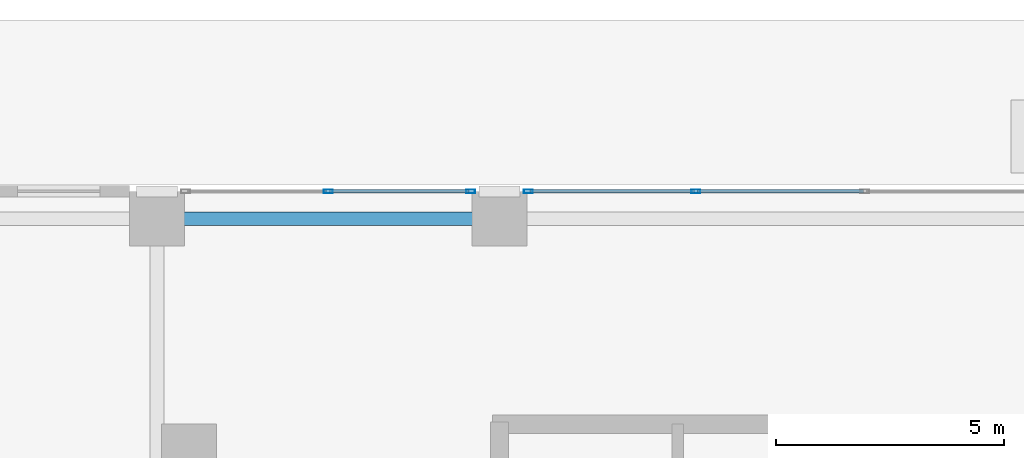
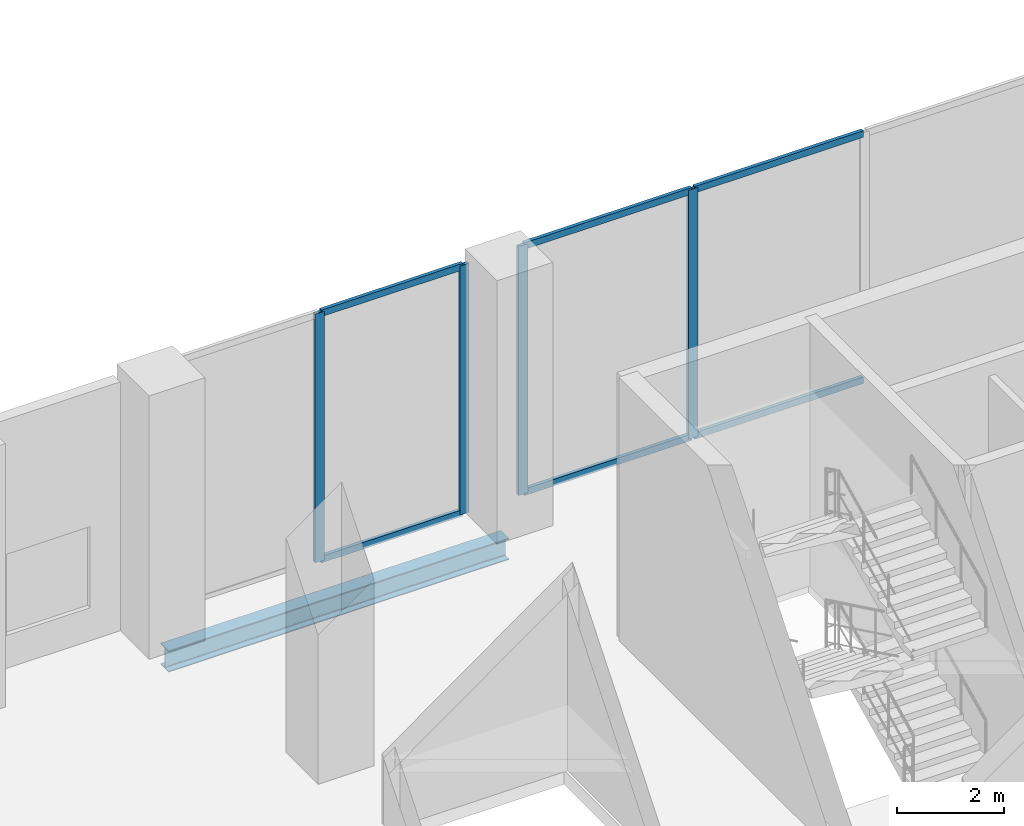
# One storey, part 9 of 26: 10 members, 1 beam, 2 elements without a shape of their own.
"""IFC4 building model written with IfcOpenShell, lengths in metres."""

import ifcopenshell
import ifcopenshell.guid

model = None  # the IFC model being written
_history = None  # IfcOwnerHistory: only IFC2X3 demands one
_inside = {}  # id of a spatial element -> (the spatial element, [elements in it])
_under = {}  # id of a project, library or spatial element -> (it, [spatial elements below it])
_declared = {}  # id of a project -> (the project, [libraries it declares])
_typed = {}  # id of a type object -> (the type object, [elements of that type])
_made_of = {}  # id of a material, layer set ... -> (it, [elements and type objects made of it])


def new_model(schema):
    """Start an empty IFC model of exactly this schema.

    Asked for "IFC4X3", IfcOpenShell would pick the latest addendum, in which some entities
    have other attributes; the version numbers below select the first issue.
    IFC2X3 requires an IfcOwnerHistory on every rooted entity: one is made here for all.
    """
    global model, _history
    if schema == "IFC4X3":
        model = ifcopenshell.file(schema_version=(4, 3, 0, 0))
    else:
        model = ifcopenshell.file(schema=schema)
    _inside.clear()
    _under.clear()
    _declared.clear()
    _typed.clear()
    _made_of.clear()
    _history = None
    if model.schema == "IFC2X3":
        org = make("IfcOrganization", Name="unknown")
        user = make(
            "IfcPersonAndOrganization",
            ThePerson=make("IfcPerson", FamilyName="unknown"),
            TheOrganization=org,
        )
        app = make(
            "IfcApplication",
            ApplicationDeveloper=org,
            Version="unknown",
            ApplicationFullName="unknown",
            ApplicationIdentifier="unknown",
        )
        _history = make(
            "IfcOwnerHistory",
            OwningUser=user,
            OwningApplication=app,
            ChangeAction="ADDED",
            CreationDate=0,
        )
    return model


def make(cls, **values):
    """One entity of the class cls with the attributes given. An attribute that is None is left unset."""
    return model.create_entity(
        cls, **{name: value for name, value in values.items() if value is not None}
    )


def rooted(cls, **values):
    """An entity with a GlobalId (a new one), such as an element, a storey or a relation."""
    return make(cls, GlobalId=ifcopenshell.guid.new(), OwnerHistory=_history, **values)


def si_unit(unit_type, name, prefix=None):
    """IfcSIUnit, for example si_unit("LENGTHUNIT", "METRE", prefix="MILLI")."""
    return make("IfcSIUnit", UnitType=unit_type, Prefix=prefix, Name=name)


def assignment(units):
    """IfcUnitAssignment: the units of a project."""
    return None if units is None else make("IfcUnitAssignment", Units=units)


def point(xyz):
    """IfcCartesianPoint."""
    return None if xyz is None else make("IfcCartesianPoint", Coordinates=xyz)


def direction(xyz):
    """IfcDirection."""
    return None if xyz is None else make("IfcDirection", DirectionRatios=xyz)


def frame(location, z_axis=None, x_axis=None):
    """IfcAxis2Placement3D, a coordinate frame: its origin and axes. An axis left out is left unset."""
    return make(
        "IfcAxis2Placement3D",
        Location=point(location),
        Axis=direction(z_axis),
        RefDirection=direction(x_axis),
    )


def frame_2d(location, x_axis=None):
    """IfcAxis2Placement2D, a coordinate frame in the plane: its origin and x axis."""
    return make(
        "IfcAxis2Placement2D", Location=point(location), RefDirection=direction(x_axis)
    )


def origin():
    """The frame at (0, 0, 0) with its axes left unset."""
    return frame((0.0, 0.0, 0.0))


def origin_2d():
    """The frame at (0, 0) in the plane with its x axis left unset."""
    return frame_2d((0.0, 0.0))


def place(relative_to, where):
    """IfcLocalPlacement: puts the frame where relative to a parent placement (None: the world)."""
    return make(
        "IfcLocalPlacement", PlacementRelTo=relative_to, RelativePlacement=where
    )


def context(
    kind, dimensions, precision=None, world=None, true_north=None, identifier=None
):
    """IfcGeometricRepresentationContext, for example the 3D "Model" context."""
    return make(
        "IfcGeometricRepresentationContext",
        ContextIdentifier=identifier,
        ContextType=kind,
        CoordinateSpaceDimension=dimensions,
        Precision=precision,
        WorldCoordinateSystem=world,
        TrueNorth=true_north,
    )


def subcontext(parent, identifier, kind, view, scale=None):
    """IfcGeometricRepresentationSubContext, for example "Body" below "Model"."""
    return make(
        "IfcGeometricRepresentationSubContext",
        ContextIdentifier=identifier,
        ContextType=kind,
        ParentContext=parent,
        TargetScale=scale,
        TargetView=view,
    )


def project(units=None, contexts=None):
    """IfcProject with its units and contexts."""
    return rooted(
        "IfcProject",
        Name="project",
        RepresentationContexts=contexts,
        UnitsInContext=assignment(units),
    )


def spatial(cls, under=None, at=None, **own):
    """A site, building, storey or space (cls), placed at a placement, below another one or the project."""
    s = rooted(cls, ObjectPlacement=at, **own)
    if under is not None:
        _under.setdefault(under.id(), (under, []))[1].append(s)
    return s


def profile(cls, at=None, kind="AREA", **sizes):
    """A parametric profile (cls). Its sizes go by their IFC names, for example OverallWidth=200.0."""
    return make(cls, ProfileType=kind, Position=at, **sizes)


def hollow_rectangle(**sizes):
    """IfcRectangleHollowProfileDef."""
    return profile("IfcRectangleHollowProfileDef", **sizes)


def i_section(**sizes):
    """IfcIShapeProfileDef."""
    return profile("IfcIShapeProfileDef", **sizes)


def extrude(swept, where, along, depth):
    """IfcExtrudedAreaSolid: the profile swept, set in the frame where, extruded along a direction by depth."""
    return make(
        "IfcExtrudedAreaSolid",
        SweptArea=swept,
        Position=where,
        ExtrudedDirection=direction(along),
        Depth=depth,
    )


def shape(context_of_items, identifier, shape_type, items):
    """IfcShapeRepresentation: the items that make up one representation, for example the "Body"."""
    return make(
        "IfcShapeRepresentation",
        ContextOfItems=context_of_items,
        RepresentationIdentifier=identifier,
        RepresentationType=shape_type,
        Items=items,
    )


def material(Name=None, Category=None):
    """IfcMaterial."""
    return make("IfcMaterial", Name=Name, Category=Category)


def layer(
    of_material, thickness, ventilated=None, Name=None, Category=None, Priority=None
):
    """IfcMaterialLayer: one layer of a wall or slab, of a material (None: an air gap)."""
    return make(
        "IfcMaterialLayer",
        Material=of_material,
        LayerThickness=thickness,
        IsVentilated=ventilated,
        Name=Name,
        Category=Category,
        Priority=Priority,
    )


def layer_set(layers, Name=None):
    """IfcMaterialLayerSet."""
    return make("IfcMaterialLayerSet", MaterialLayers=layers, LayerSetName=Name)


def material_profile(
    of_material, cross_section, Name=None, Category=None, Priority=None
):
    """IfcMaterialProfile: a cross section and its material."""
    return make(
        "IfcMaterialProfile",
        Name=Name,
        Material=of_material,
        Profile=cross_section,
        Priority=Priority,
        Category=Category,
    )


def profile_set(profiles, Name=None, composite=None):
    """IfcMaterialProfileSet."""
    return make(
        "IfcMaterialProfileSet",
        Name=Name,
        MaterialProfiles=profiles,
        CompositeProfile=composite,
    )


def made_of(thing, what):
    """Note that an element or type object is made of a material, layer set ...; save() writes the relation."""
    if what is not None:
        _made_of.setdefault(what.id(), (what, []))[1].append(thing)
    return thing


def type_object(cls, material=None, **own):
    """A type object (cls), such as IfcWallType, which elements share."""
    return made_of(rooted(cls, **own), material)


def element(
    cls,
    number,
    at=None,
    inside=None,
    cuts=None,
    type_object=None,
    material=None,
    context=None,
    identifier="Body",
    shape_type=None,
    held_by="IfcProductDefinitionShape",
    body=None,
    shapes=None,
    **own,
):
    """One element of the class cls, such as IfcWall. Its Tag is "e" and its number.

    at: its placement. inside: the storey or other place that contains it. cuts: it is an
    opening in that element (IfcRelVoidsElement). A single representation is given by context,
    identifier, shape_type and body (its items); several are given by shapes. held_by: the class
    of the entity that holds the representations. save() writes the other relations.
    """
    e = rooted(cls, Tag="e%d" % number, ObjectPlacement=at, **own)
    if body is not None:
        shapes = [shape(context, identifier, shape_type, body)]
    if shapes is not None:
        e.Representation = make(held_by, Representations=shapes)
    if inside is not None:
        _inside.setdefault(inside.id(), (inside, []))[1].append(e)
    if cuts is not None:
        rooted(
            "IfcRelVoidsElement", RelatingBuildingElement=cuts, RelatedOpeningElement=e
        )
    if type_object is not None:
        _typed.setdefault(type_object.id(), (type_object, []))[1].append(e)
    return made_of(e, material)


def aggregate(whole, parts):
    """IfcRelAggregates: a whole, such as a stair, and the parts it consists of."""
    return rooted("IfcRelAggregates", RelatingObject=whole, RelatedObjects=parts)


def save(model, path):
    """Write the relations noted so far, then the file.

    IfcRelAggregates (storeys below a building ...), IfcRelContainedInSpatialStructure (elements
    in a storey), IfcRelDefinesByType, IfcRelAssociatesMaterial and IfcRelDeclares: one each for
    every whole, place, type object, material and project.
    """
    for whole, parts in _under.values():
        aggregate(whole, parts)
    for where, things in _inside.values():
        rooted(
            "IfcRelContainedInSpatialStructure",
            RelatedElements=things,
            RelatingStructure=where,
        )
    for kind, things in _typed.values():
        rooted("IfcRelDefinesByType", RelatedObjects=things, RelatingType=kind)
    for what, things in _made_of.values():
        rooted("IfcRelAssociatesMaterial", RelatedObjects=things, RelatingMaterial=what)
    for by, libraries in _declared.values():
        rooted("IfcRelDeclares", RelatingContext=by, RelatedDefinitions=libraries)
    model.write(path)


model = new_model("IFC4")

# Units and contexts
model_context = context("Model", 3, precision=1e-05, world=origin(), true_north=direction((0.0, 1.0)))
body_context = subcontext(model_context, "Body", "Model", "MODEL_VIEW")
ifc_project = project(units=[si_unit("LENGTHUNIT", "METRE"), si_unit("AREAUNIT", "SQUARE_METRE"), si_unit("VOLUMEUNIT", "CUBIC_METRE"), si_unit("PLANEANGLEUNIT", "RADIAN"), si_unit("MASSUNIT", "GRAM", prefix="KILO")], contexts=[model_context])

# Site, building, storey
site_placement = place(None, origin())
site = spatial("IfcSite", under=ifc_project, at=site_placement, CompositionType="ELEMENT")
building_placement = place(site_placement, origin())
building = spatial("IfcBuilding", under=site, at=building_placement, Name="Catumbela Crestline Tower", CompositionType="ELEMENT")
storey_placement = place(building_placement, origin())
storey = spatial("IfcBuildingStorey", under=building, at=storey_placement, Name="L00", CompositionType="ELEMENT", Elevation=0.0)

# Curtain wall, members
ifc_material_1 = material(Name="Aluminium alloy AW-6060-T66", Category="aluminium")
ifc_layer = layer(ifc_material_1, 0.18, Name="Aluminium alloy AW-6060-T66")
ifc_layer_set = layer_set([ifc_layer], Name="Aluminium alloy AW-6060-T66")
curtain_wall_type = type_object("IfcCurtainWallType", Name="CWS-POD", PredefinedType="USERDEFINED", material=ifc_layer_set)
curtain_wall_1_placement = place(storey_placement, origin())
curtain_wall_1 = element("IfcCurtainWall", 1, at=curtain_wall_1_placement, inside=storey, type_object=curtain_wall_type, Name="L00 Stick Curtain Wall CW-L00-E7S4", ObjectType="STICK", PredefinedType="USERDEFINED")
ifc_material_profile_1 = material_profile(ifc_material_1, hollow_rectangle(XDim=0.075, YDim=0.2, WallThickness=0.005, at=origin_2d()), Name="ALU 200x75x5")
ifc_profile_set_1 = profile_set([ifc_material_profile_1], Name="Aluminium alloy AW-6060-T66")
member_type_1 = type_object("IfcMemberType", Name="MUL-200X75", PredefinedType="MULLION", material=ifc_profile_set_1)
member_1_placement = place(storey_placement, frame((20.3, 48.0, 0.0), z_axis=(0.0, 0.0, 1.0), x_axis=(0.0, -1.0, 0.0)))
member_1 = element("IfcMember", 2, at=member_1_placement, type_object=member_type_1, Name="CWS-POD mullion 4", PredefinedType="MULLION", context=body_context, shape_type="SweptSolid", body=[
    extrude(hollow_rectangle(XDim=0.075, YDim=0.2, WallThickness=0.005, at=origin_2d()), origin(), (0.0, 0.0, 1.0), 5.67),
])
member_2_placement = place(storey_placement, frame((16.6325, 48.0, 0.0), z_axis=(0.0, 0.0, 1.0), x_axis=(0.0, -1.0, 0.0)))
member_2 = element("IfcMember", 3, at=member_2_placement, type_object=member_type_1, Name="CWS-POD mullion 5", PredefinedType="MULLION", context=body_context, shape_type="SweptSolid", body=[
    extrude(hollow_rectangle(XDim=0.075, YDim=0.2, WallThickness=0.005, at=origin_2d()), origin(), (0.0, 0.0, 1.0), 5.67),
])

curtain_wall_2_placement = place(storey_placement, origin())
curtain_wall_2 = element("IfcCurtainWall", 4, at=curtain_wall_2_placement, inside=storey, type_object=curtain_wall_type, Name="L00 Stick Curtain Wall CW-L00-E7S5", ObjectType="STICK", PredefinedType="USERDEFINED")
member_3_placement = place(storey_placement, frame((15.3675, 48.0, 0.0), z_axis=(0.0, 0.0, 1.0), x_axis=(0.0, -1.0, 0.0)))
member_3 = element("IfcMember", 5, at=member_3_placement, type_object=member_type_1, Name="CWS-POD mullion 1", PredefinedType="MULLION", context=body_context, shape_type="SweptSolid", body=[
    extrude(hollow_rectangle(XDim=0.075, YDim=0.2, WallThickness=0.005, at=origin_2d()), origin(), (0.0, 0.0, 1.0), 5.67),
])
member_4_placement = place(storey_placement, frame((12.25, 48.0, 0.0), z_axis=(0.0, 0.0, 1.0), x_axis=(0.0, -1.0, 0.0)))
member_4 = element("IfcMember", 6, at=member_4_placement, type_object=member_type_1, Name="CWS-POD mullion 2", PredefinedType="MULLION", context=body_context, shape_type="SweptSolid", body=[
    extrude(hollow_rectangle(XDim=0.075, YDim=0.2, WallThickness=0.005, at=origin_2d()), origin(), (0.0, 0.0, 1.0), 5.67),
])

# Beam
ifc_material_2 = material(Name="Structural steel S355J2", Category="steel")
ifc_material_profile_2 = material_profile(ifc_material_2, i_section(OverallWidth=0.3, OverallDepth=0.49, WebThickness=0.012, FlangeThickness=0.023, FilletRadius=0.027, at=origin_2d()), Name="HEA 500")
ifc_profile_set_2 = profile_set([ifc_material_profile_2], Name="Structural steel S355J2")
beam_type = type_object("IfcBeamType", Name="BS-HEA500", PredefinedType="SPANDREL", material=ifc_profile_set_2)
beam_placement = place(storey_placement, frame((8.58, 47.4, -0.565), z_axis=(1.0, 0.0, 0.0), x_axis=(0.0, 1.0, 0.0)))
element("IfcBeam", 7, at=beam_placement, inside=storey, type_object=beam_type, Name="L00 Spandrel SP-L00-NF18", PredefinedType="SPANDREL", context=body_context, shape_type="SweptSolid", body=[
    extrude(i_section(OverallWidth=0.3, OverallDepth=0.49, WebThickness=0.012, FlangeThickness=0.023, FilletRadius=0.027, at=origin_2d()), origin(), (0.0, 0.0, 1.0), 7.34),
])

# Member
ifc_material_profile_3 = material_profile(ifc_material_1, hollow_rectangle(XDim=0.075, YDim=0.15, WallThickness=0.0045, at=origin_2d()), Name="ALU 150x75x4.5")
ifc_profile_set_3 = profile_set([ifc_material_profile_3], Name="Aluminium alloy AW-6060-T66")
member_type_2 = type_object("IfcMemberType", Name="TRN-150X75", PredefinedType="USERDEFINED", material=ifc_profile_set_3)
member_5_placement = place(storey_placement, frame((23.9675, 48.0, 0.03), z_axis=(-1.0, 0.0, 0.0), x_axis=(0.0, -1.0, 0.0)))
member_5 = element("IfcMember", 8, at=member_5_placement, type_object=member_type_2, Name="CWS-POD transom 3.1", ObjectType="TRANSOM", PredefinedType="USERDEFINED", context=body_context, shape_type="SweptSolid", body=[
    extrude(hollow_rectangle(XDim=0.075, YDim=0.15, WallThickness=0.0045, at=origin_2d()), origin(), (0.0, 0.0, 1.0), 3.635),
])

member_6_placement = place(storey_placement, frame((23.9675, 48.0, 5.64), z_axis=(-1.0, 0.0, 0.0), x_axis=(0.0, -1.0, 0.0)))
member_6 = element("IfcMember", 9, at=member_6_placement, type_object=member_type_2, Name="CWS-POD transom 3.2", ObjectType="TRANSOM", PredefinedType="USERDEFINED", context=body_context, shape_type="SweptSolid", body=[
    extrude(hollow_rectangle(XDim=0.075, YDim=0.15, WallThickness=0.0045, at=origin_2d()), origin(), (0.0, 0.0, 1.0), 3.635),
])

member_7_placement = place(storey_placement, frame((20.2675, 48.0, 0.03), z_axis=(-1.0, 0.0, 0.0), x_axis=(0.0, -1.0, 0.0)))
member_7 = element("IfcMember", 10, at=member_7_placement, type_object=member_type_2, Name="CWS-POD transom 4.1", ObjectType="TRANSOM", PredefinedType="USERDEFINED", context=body_context, shape_type="SweptSolid", body=[
    extrude(hollow_rectangle(XDim=0.075, YDim=0.15, WallThickness=0.0045, at=origin_2d()), origin(), (0.0, 0.0, 1.0), 3.6025),
])

member_8_placement = place(storey_placement, frame((20.2675, 48.0, 5.64), z_axis=(-1.0, 0.0, 0.0), x_axis=(0.0, -1.0, 0.0)))
member_8 = element("IfcMember", 11, at=member_8_placement, type_object=member_type_2, Name="CWS-POD transom 4.2", ObjectType="TRANSOM", PredefinedType="USERDEFINED", context=body_context, shape_type="SweptSolid", body=[
    extrude(hollow_rectangle(XDim=0.075, YDim=0.15, WallThickness=0.0045, at=origin_2d()), origin(), (0.0, 0.0, 1.0), 3.6025),
])

aggregate(curtain_wall_1, [member_1, member_2, member_5, member_6, member_7, member_8])

member_9_placement = place(storey_placement, frame((15.335, 48.0, 0.03), z_axis=(-1.0, 0.0, 0.0), x_axis=(0.0, -1.0, 0.0)))
member_9 = element("IfcMember", 12, at=member_9_placement, type_object=member_type_2, Name="CWS-POD transom 1.1", ObjectType="TRANSOM", PredefinedType="USERDEFINED", context=body_context, shape_type="SweptSolid", body=[
    extrude(hollow_rectangle(XDim=0.075, YDim=0.15, WallThickness=0.0045, at=origin_2d()), origin(), (0.0, 0.0, 1.0), 3.0525),
])

member_10_placement = place(storey_placement, frame((15.335, 48.0, 5.64), z_axis=(-1.0, 0.0, 0.0), x_axis=(0.0, -1.0, 0.0)))
member_10 = element("IfcMember", 13, at=member_10_placement, type_object=member_type_2, Name="CWS-POD transom 1.2", ObjectType="TRANSOM", PredefinedType="USERDEFINED", context=body_context, shape_type="SweptSolid", body=[
    extrude(hollow_rectangle(XDim=0.075, YDim=0.15, WallThickness=0.0045, at=origin_2d()), origin(), (0.0, 0.0, 1.0), 3.0525),
])

aggregate(curtain_wall_2, [member_3, member_4, member_9, member_10])

save(model, "model.ifc")
